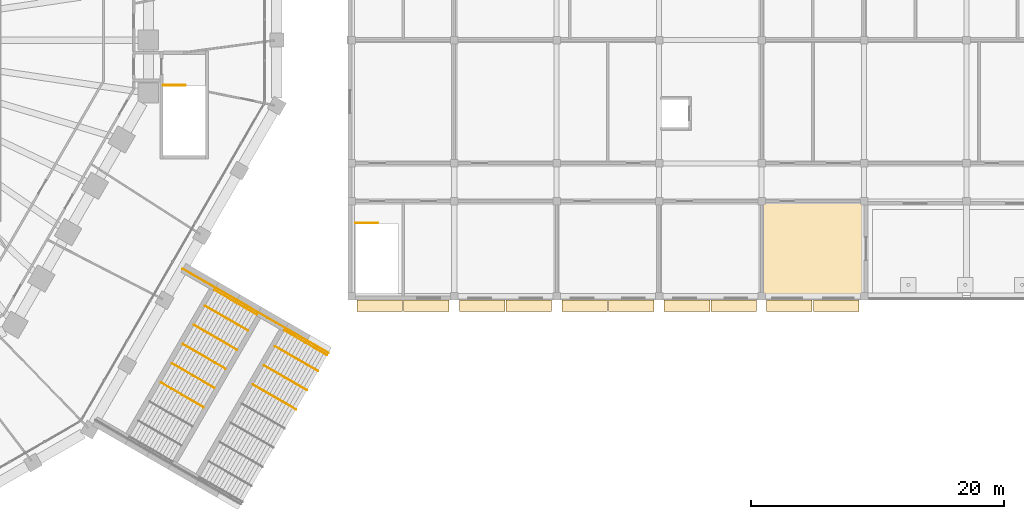
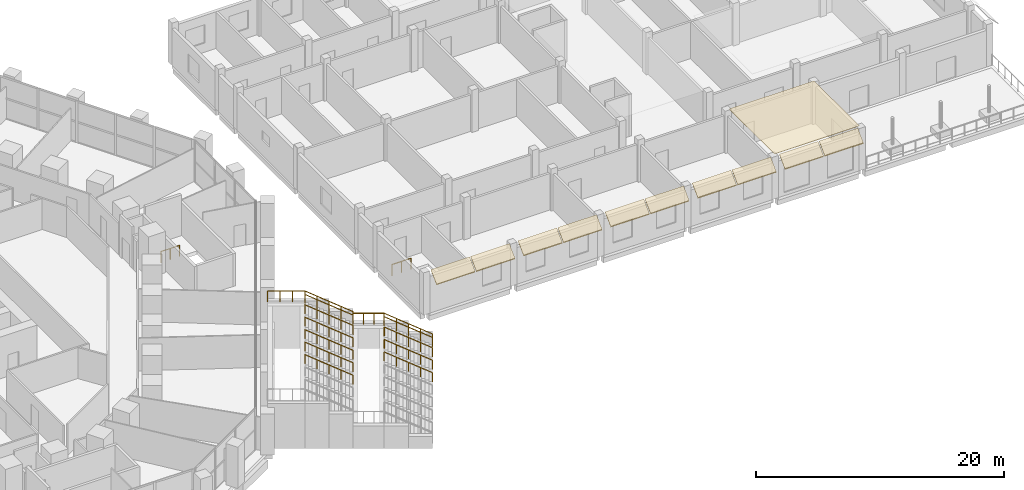
# One storey, part 34 of 38: 16 railings, 11 coverings.
"""IFC4 building model written with IfcOpenShell, lengths in metres."""

from ifc_helpers import new_model, si_unit, direction, frame, origin, origin_2d, place, context, subcontext, project, spatial, polyline, circle, outline, extrude, material, layer, layer_set, type_object, element, save


model = new_model("IFC4")

# Units and contexts
model_context = context("Model", 3, precision=1e-05, world=origin(), true_north=direction((0.0, 1.0)))
body_context = subcontext(model_context, "Body", "Model", "MODEL_VIEW")
ifc_project = project(units=[si_unit("LENGTHUNIT", "METRE"), si_unit("AREAUNIT", "SQUARE_METRE"), si_unit("VOLUMEUNIT", "CUBIC_METRE"), si_unit("PLANEANGLEUNIT", "RADIAN"), si_unit("MASSUNIT", "GRAM", prefix="KILO")], contexts=[model_context])

# Site, building, storey
site_placement = place(None, origin())
site = spatial("IfcSite", under=ifc_project, at=site_placement, CompositionType="ELEMENT")
building_placement = place(site_placement, origin())
building = spatial("IfcBuilding", under=site, at=building_placement, Name="Frailejon Research Tower", CompositionType="ELEMENT")
storey_placement = place(building_placement, frame((0.0, 0.0, 10.199951171875)))
storey = spatial("IfcBuildingStorey", under=building, at=storey_placement, Name="L02", CompositionType="ELEMENT", Elevation=10.199951171875)

# Railings
ifc_material_1 = material(Name="Galvanised steel balustrade", Category="steel")
railing_type_1 = type_object("IfcRailingType", Name="Broad stair guard 1100", PredefinedType="GUARDRAIL", material=ifc_material_1)
railing_1_placement = place(storey_placement, frame((31.126953125, -18.086669921875, 4.400146484375)))
element("IfcRailing", 1, at=railing_1_placement, inside=storey, type_object=railing_type_1, Name="Broad stair E3 landing guard", PredefinedType="GUARDRAIL", context=body_context, shape_type="SweptSolid", body=[
    extrude(circle(Radius=0.02392578125, at=origin_2d()), frame((0.0, 0.0, 1.076171875), z_axis=(0.866031096941, -0.499990139034, 0.0), x_axis=(0.499990139034, 0.866031096941, 0.0)), (0.0, 0.0, 1.0), 3.0),
    extrude(circle(Radius=0.02099609375, at=origin_2d()), origin(), (0.0, 0.0, 1.0), 1.052001953125),
    extrude(circle(Radius=0.02099609375, at=origin_2d()), frame((0.865966796875, -0.5, 0.0)), (0.0, 0.0, 1.0), 1.052001953125),
    extrude(circle(Radius=0.02099609375, at=origin_2d()), frame((1.732177734375, -1.0, 0.0)), (0.0, 0.0, 1.0), 1.052001953125),
    extrude(circle(Radius=0.02099609375, at=origin_2d()), frame((2.59814453125, -1.5, 0.0)), (0.0, 0.0, 1.0), 1.052001953125),
])
railing_2_placement = place(storey_placement, frame((37.1025390625, -21.53662109375, 2.199951171875)))
element("IfcRailing", 2, at=railing_2_placement, inside=storey, type_object=railing_type_1, Name="Broad stair E3 landing guard", PredefinedType="GUARDRAIL", context=body_context, shape_type="SweptSolid", body=[
    extrude(circle(Radius=0.02392578125, at=origin_2d()), frame((0.0, 0.0, 1.076171875), z_axis=(0.866022959057, -0.500004234368, 0.0), x_axis=(0.500004234368, 0.866022959057, 0.0)), (0.0, 0.0, 1.0), 2.5),
    extrude(circle(Radius=0.02099609375, at=origin_2d()), origin(), (0.0, 0.0, 1.0), 1.052001953125),
    extrude(circle(Radius=0.02099609375, at=origin_2d()), frame((0.7216796875, -0.416748046875, 0.0)), (0.0, 0.0, 1.0), 1.052001953125),
    extrude(circle(Radius=0.02099609375, at=origin_2d()), frame((1.443359375, -0.833251953125, 0.0)), (0.0, 0.0, 1.0), 1.052001953125),
    extrude(circle(Radius=0.02099609375, at=origin_2d()), frame((2.1650390625, -1.25, 0.0)), (0.0, 0.0, 1.0), 1.052001953125),
])
railing_3_placement = place(storey_placement, frame((37.1025390625, -21.53662109375, 2.357177734375)))
element("IfcRailing", 3, at=railing_3_placement, inside=storey, type_object=railing_type_1, Name="Broad stair E3 flight guard", PredefinedType="GUARDRAIL", context=body_context, shape_type="SweptSolid", body=[
    extrude(circle(Radius=0.02392578125, at=origin_2d()), frame((0.0, 0.0, 1.076171875), z_axis=(-0.767141967579, 0.442906093325, 0.464033828589), x_axis=(-0.499997012787, -0.866027128446, 0.0)), (0.0, 0.0, 1.0), 4.402587890625),
    extrude(circle(Radius=0.02099609375, at=origin_2d()), origin(), (0.0, 0.0, 1.0), 1.052001953125),
    extrude(circle(Radius=0.02099609375, at=origin_2d()), frame((-0.84423828125, 0.487548828125, 0.5107421875)), (0.0, 0.0, 1.0), 1.052001953125),
    extrude(circle(Radius=0.02099609375, at=origin_2d()), frame((-1.688720703125, 0.97509765625, 1.021484375)), (0.0, 0.0, 1.0), 1.052001953125),
    extrude(circle(Radius=0.02099609375, at=origin_2d()), frame((-2.533203125, 1.46240234375, 1.5322265625)), (0.0, 0.0, 1.0), 1.052001953125),
    extrude(circle(Radius=0.02099609375, at=origin_2d()), frame((-3.37744140625, 1.949951171875, 2.04296875)), (0.0, 0.0, 1.0), 1.052001953125),
])
railing_4_placement = place(storey_placement, frame((42.64501953125, -24.736572265625, 0.1572265625)))
element("IfcRailing", 4, at=railing_4_placement, inside=storey, type_object=railing_type_1, Name="Broad stair E3 flight guard", PredefinedType="GUARDRAIL", context=body_context, shape_type="SweptSolid", body=[
    extrude(circle(Radius=0.02392578125, at=origin_2d()), frame((0.0, 0.0, 1.076171875), z_axis=(-0.767161707443, 0.44291749005, 0.463990314166), x_axis=(-0.499997012787, -0.866027128446, 0.0)), (0.0, 0.0, 1.0), 4.402587890625),
    extrude(circle(Radius=0.02099609375, at=origin_2d()), origin(), (0.0, 0.0, 1.0), 1.052001953125),
    extrude(circle(Radius=0.02099609375, at=origin_2d()), frame((-0.84423828125, 0.487548828125, 0.5107421875)), (0.0, 0.0, 1.0), 1.052001953125),
    extrude(circle(Radius=0.02099609375, at=origin_2d()), frame((-1.688720703125, 0.97509765625, 1.021484375)), (0.0, 0.0, 1.0), 1.052001953125),
    extrude(circle(Radius=0.02099609375, at=origin_2d()), frame((-2.533203125, 1.46240234375, 1.531982421875)), (0.0, 0.0, 1.0), 1.052001953125),
    extrude(circle(Radius=0.02099609375, at=origin_2d()), frame((-3.37744140625, 1.949951171875, 2.042724609375)), (0.0, 0.0, 1.0), 1.052001953125),
])
ifc_material_2 = material(Name="Stainless steel handrail", Category="steel")
railing_type_2 = type_object("IfcRailingType", Name="Broad stair handrail", PredefinedType="HANDRAIL", material=ifc_material_2)
for number, where, name in (
    (5, (32.777587890625, -29.027587890625, 2.357177734375), "Broad stair E3 flight handrail"),
    (6, (33.652587890625, -27.51220703125, 2.357177734375), "Broad stair E3 flight handrail"),
    (7, (34.527587890625, -25.99658203125, 2.357177734375), "Broad stair E3 flight handrail"),
):
    element("IfcRailing", number, at=place(storey_placement, frame(where)), inside=storey, type_object=railing_type_2, Name=name, PredefinedType="HANDRAIL", context=body_context, shape_type="SweptSolid", body=[
        extrude(circle(Radius=0.02392578125, at=origin_2d()), frame((0.0, 0.0, 0.8759765625), z_axis=(-0.767164784809, 0.442887252351, 0.464014088853), x_axis=(-0.499969906938, -0.866042777325, 0.0)), (0.0, 0.0, 1.0), 4.40283203125),
        extrude(circle(Radius=0.02099609375, at=origin_2d()), origin(), (0.0, 0.0, 1.0), 0.851806640625),
        extrude(circle(Radius=0.02099609375, at=origin_2d()), frame((-0.844482421875, 0.487548828125, 0.5107421875)), (0.0, 0.0, 1.0), 0.851806640625),
        extrude(circle(Radius=0.02099609375, at=origin_2d()), frame((-1.68896484375, 0.97509765625, 1.021484375)), (0.0, 0.0, 1.0), 0.851806640625),
        extrude(circle(Radius=0.02099609375, at=origin_2d()), frame((-2.533203125, 1.46240234375, 1.5322265625)), (0.0, 0.0, 1.0), 0.851806640625),
        extrude(circle(Radius=0.02099609375, at=origin_2d()), frame((-3.377685546875, 1.949951171875, 2.04296875)), (0.0, 0.0, 1.0), 0.851806640625),
    ])
railing_5_placement = place(storey_placement, frame((40.070068359375, -29.196533203125, 0.1572265625)))
element("IfcRailing", 8, at=railing_5_placement, inside=storey, type_object=railing_type_2, Name="Broad stair E3 flight handrail", PredefinedType="HANDRAIL", context=body_context, shape_type="SweptSolid", body=[
    extrude(circle(Radius=0.02392578125, at=origin_2d()), frame((0.0, 0.0, 0.8759765625), z_axis=(-0.767161707443, 0.44291749005, 0.463990314166), x_axis=(-0.499997012787, -0.866027128446, 0.0)), (0.0, 0.0, 1.0), 4.402587890625),
    extrude(circle(Radius=0.02099609375, at=origin_2d()), origin(), (0.0, 0.0, 1.0), 0.851806640625),
    extrude(circle(Radius=0.02099609375, at=origin_2d()), frame((-0.84423828125, 0.487548828125, 0.5107421875)), (0.0, 0.0, 1.0), 0.851806640625),
    extrude(circle(Radius=0.02099609375, at=origin_2d()), frame((-1.688720703125, 0.97509765625, 1.021484375)), (0.0, 0.0, 1.0), 0.851806640625),
    extrude(circle(Radius=0.02099609375, at=origin_2d()), frame((-2.533203125, 1.46240234375, 1.531982421875)), (0.0, 0.0, 1.0), 0.851806640625),
    extrude(circle(Radius=0.02099609375, at=origin_2d()), frame((-3.37744140625, 1.949951171875, 2.042724609375)), (0.0, 0.0, 1.0), 0.851806640625),
])
railing_6_placement = place(storey_placement, frame((35.402587890625, -24.481201171875, 2.357177734375)))
element("IfcRailing", 9, at=railing_6_placement, inside=storey, type_object=railing_type_2, Name="Broad stair E3 flight handrail", PredefinedType="HANDRAIL", context=body_context, shape_type="SweptSolid", body=[
    extrude(circle(Radius=0.02392578125, at=origin_2d()), frame((0.0, 0.0, 0.8759765625), z_axis=(-0.767145943871, 0.442931825055, 0.464002693048), x_axis=(-0.500016855088, -0.866015672276, 0.0)), (0.0, 0.0, 1.0), 4.40283203125),
    extrude(circle(Radius=0.02099609375, at=origin_2d()), origin(), (0.0, 0.0, 1.0), 0.851806640625),
    extrude(circle(Radius=0.02099609375, at=origin_2d()), frame((-0.844482421875, 0.487548828125, 0.5107421875)), (0.0, 0.0, 1.0), 0.851806640625),
    extrude(circle(Radius=0.02099609375, at=origin_2d()), frame((-1.68896484375, 0.97509765625, 1.021484375)), (0.0, 0.0, 1.0), 0.851806640625),
    extrude(circle(Radius=0.02099609375, at=origin_2d()), frame((-2.533203125, 1.462646484375, 1.5322265625)), (0.0, 0.0, 1.0), 0.851806640625),
    extrude(circle(Radius=0.02099609375, at=origin_2d()), frame((-3.377685546875, 1.9501953125, 2.04296875)), (0.0, 0.0, 1.0), 0.851806640625),
])
railing_7_placement = place(storey_placement, frame((40.945068359375, -27.68115234375, 0.1572265625)))
element("IfcRailing", 10, at=railing_7_placement, inside=storey, type_object=railing_type_2, Name="Broad stair E3 flight handrail", PredefinedType="HANDRAIL", context=body_context, shape_type="SweptSolid", body=[
    extrude(circle(Radius=0.02392578125, at=origin_2d()), frame((0.0, 0.0, 0.8759765625), z_axis=(-0.767161707443, 0.44291749005, 0.463990314166), x_axis=(-0.499997012787, -0.866027128446, 0.0)), (0.0, 0.0, 1.0), 4.402587890625),
    extrude(circle(Radius=0.02099609375, at=origin_2d()), origin(), (0.0, 0.0, 1.0), 0.851806640625),
    extrude(circle(Radius=0.02099609375, at=origin_2d()), frame((-0.84423828125, 0.487548828125, 0.5107421875)), (0.0, 0.0, 1.0), 0.851806640625),
    extrude(circle(Radius=0.02099609375, at=origin_2d()), frame((-1.688720703125, 0.97509765625, 1.021484375)), (0.0, 0.0, 1.0), 0.851806640625),
    extrude(circle(Radius=0.02099609375, at=origin_2d()), frame((-2.533203125, 1.46240234375, 1.531982421875)), (0.0, 0.0, 1.0), 0.851806640625),
    extrude(circle(Radius=0.02099609375, at=origin_2d()), frame((-3.37744140625, 1.949951171875, 2.042724609375)), (0.0, 0.0, 1.0), 0.851806640625),
])
railing_8_placement = place(storey_placement, frame((36.277587890625, -22.965576171875, 2.357177734375)))
element("IfcRailing", 11, at=railing_8_placement, inside=storey, type_object=railing_type_2, Name="Broad stair E3 flight handrail", PredefinedType="HANDRAIL", context=body_context, shape_type="SweptSolid", body=[
    extrude(circle(Radius=0.02392578125, at=origin_2d()), frame((0.0, 0.0, 0.8759765625), z_axis=(-0.767145943871, 0.442931825055, 0.464002693048), x_axis=(-0.500016855088, -0.866015672276, 0.0)), (0.0, 0.0, 1.0), 4.40283203125),
    extrude(circle(Radius=0.02099609375, at=origin_2d()), origin(), (0.0, 0.0, 1.0), 0.851806640625),
    extrude(circle(Radius=0.02099609375, at=origin_2d()), frame((-0.844482421875, 0.487548828125, 0.5107421875)), (0.0, 0.0, 1.0), 0.851806640625),
    extrude(circle(Radius=0.02099609375, at=origin_2d()), frame((-1.68896484375, 0.97509765625, 1.021484375)), (0.0, 0.0, 1.0), 0.851806640625),
    extrude(circle(Radius=0.02099609375, at=origin_2d()), frame((-2.533203125, 1.462646484375, 1.5322265625)), (0.0, 0.0, 1.0), 0.851806640625),
    extrude(circle(Radius=0.02099609375, at=origin_2d()), frame((-3.377685546875, 1.9501953125, 2.04296875)), (0.0, 0.0, 1.0), 0.851806640625),
])
railing_9_placement = place(storey_placement, frame((41.820068359375, -26.16552734375, 0.1572265625)))
element("IfcRailing", 12, at=railing_9_placement, inside=storey, type_object=railing_type_2, Name="Broad stair E3 flight handrail", PredefinedType="HANDRAIL", context=body_context, shape_type="SweptSolid", body=[
    extrude(circle(Radius=0.02392578125, at=origin_2d()), frame((0.0, 0.0, 0.8759765625), z_axis=(-0.767161707443, 0.44291749005, 0.463990314166), x_axis=(-0.499997012787, -0.866027128446, 0.0)), (0.0, 0.0, 1.0), 4.402587890625),
    extrude(circle(Radius=0.02099609375, at=origin_2d()), origin(), (0.0, 0.0, 1.0), 0.851806640625),
    extrude(circle(Radius=0.02099609375, at=origin_2d()), frame((-0.84423828125, 0.487548828125, 0.5107421875)), (0.0, 0.0, 1.0), 0.851806640625),
    extrude(circle(Radius=0.02099609375, at=origin_2d()), frame((-1.688720703125, 0.97509765625, 1.021484375)), (0.0, 0.0, 1.0), 0.851806640625),
    extrude(circle(Radius=0.02099609375, at=origin_2d()), frame((-2.533203125, 1.46240234375, 1.531982421875)), (0.0, 0.0, 1.0), 0.851806640625),
    extrude(circle(Radius=0.02099609375, at=origin_2d()), frame((-3.37744140625, 1.949951171875, 2.042724609375)), (0.0, 0.0, 1.0), 0.851806640625),
])
railing_10_placement = place(storey_placement, frame((37.00244140625, -21.709716796875, 2.357177734375)))
element("IfcRailing", 13, at=railing_10_placement, inside=storey, type_object=railing_type_2, Name="Broad stair E3 flight handrail", PredefinedType="HANDRAIL", context=body_context, shape_type="SweptSolid", body=[
    extrude(circle(Radius=0.02392578125, at=origin_2d()), frame((0.0, 0.0, 0.8759765625), z_axis=(-0.767141967579, 0.442906093325, 0.464033828589), x_axis=(-0.499997012787, -0.866027128446, 0.0)), (0.0, 0.0, 1.0), 4.402587890625),
    extrude(circle(Radius=0.02099609375, at=origin_2d()), origin(), (0.0, 0.0, 1.0), 0.851806640625),
    extrude(circle(Radius=0.02099609375, at=origin_2d()), frame((-0.84423828125, 0.487548828125, 0.5107421875)), (0.0, 0.0, 1.0), 0.851806640625),
    extrude(circle(Radius=0.02099609375, at=origin_2d()), frame((-1.688720703125, 0.97509765625, 1.021484375)), (0.0, 0.0, 1.0), 0.851806640625),
    extrude(circle(Radius=0.02099609375, at=origin_2d()), frame((-2.533203125, 1.46240234375, 1.5322265625)), (0.0, 0.0, 1.0), 0.851806640625),
    extrude(circle(Radius=0.02099609375, at=origin_2d()), frame((-3.37744140625, 1.949951171875, 2.04296875)), (0.0, 0.0, 1.0), 0.851806640625),
])
railing_11_placement = place(storey_placement, frame((42.545166015625, -24.909912109375, 0.1572265625)))
element("IfcRailing", 14, at=railing_11_placement, inside=storey, type_object=railing_type_2, Name="Broad stair E3 flight handrail", PredefinedType="HANDRAIL", context=body_context, shape_type="SweptSolid", body=[
    extrude(circle(Radius=0.02392578125, at=origin_2d()), frame((0.0, 0.0, 0.8759765625), z_axis=(-0.767165681189, 0.442943220913, 0.463959179943), x_axis=(-0.500016855088, -0.866015672276, 0.0)), (0.0, 0.0, 1.0), 4.40283203125),
    extrude(circle(Radius=0.02099609375, at=origin_2d()), origin(), (0.0, 0.0, 1.0), 0.851806640625),
    extrude(circle(Radius=0.02099609375, at=origin_2d()), frame((-0.844482421875, 0.487548828125, 0.5107421875)), (0.0, 0.0, 1.0), 0.851806640625),
    extrude(circle(Radius=0.02099609375, at=origin_2d()), frame((-1.68896484375, 0.97509765625, 1.021484375)), (0.0, 0.0, 1.0), 0.851806640625),
    extrude(circle(Radius=0.02099609375, at=origin_2d()), frame((-2.533203125, 1.462646484375, 1.531982421875)), (0.0, 0.0, 1.0), 0.851806640625),
    extrude(circle(Radius=0.02099609375, at=origin_2d()), frame((-3.377685546875, 1.9501953125, 2.042724609375)), (0.0, 0.0, 1.0), 0.851806640625),
])
ifc_material_3 = material(Name="Galvanised steel balustrade", Category="steel")
railing_type_3 = type_object("IfcRailingType", Name="HC stair guard 1100", PredefinedType="GUARDRAIL", material=ifc_material_3)
railing_12_placement = place(storey_placement, frame((44.800048828125, -14.449951171875, 0.0)))
element("IfcRailing", 15, at=railing_12_placement, inside=storey, type_object=railing_type_3, Name="L02 HS-A top well guard 1", PredefinedType="GUARDRAIL", context=body_context, shape_type="SweptSolid", body=[
    extrude(circle(Radius=0.02392578125, at=origin_2d()), frame((0.0, 0.0, 1.076171875), z_axis=(1.0, 0.0, 0.0), x_axis=(0.0, 1.0, 0.0)), (0.0, 0.0, 1.0), 1.75),
    extrude(circle(Radius=0.02099609375, at=origin_2d()), origin(), (0.0, 0.0, 1.0), 1.052001953125),
    extrude(circle(Radius=0.02099609375, at=origin_2d()), frame((0.875, 0.0, 0.0)), (0.0, 0.0, 1.0), 1.052001953125),
    extrude(circle(Radius=0.02099609375, at=origin_2d()), frame((1.75, 0.0, 0.0)), (0.0, 0.0, 1.0), 1.052001953125),
])

# Coverings
ifc_material_4 = material(Name="Precast concrete C50/60", Category="concrete")
ifc_layer_1 = layer(ifc_material_4, 0.06005859375)
ifc_layer_set_1 = layer_set([ifc_layer_1], Name="HC visor depth 900")
covering_type_1 = type_object("IfcCoveringType", Name="HC visor depth 900", PredefinedType="CLADDING", material=ifc_layer_set_1)
for number, where, z_axis, x_axis, name in (
    (16, (48.5, -20.550048828125, 4.25), (-1.0, 0.0, 0.0), (0.0, -1.0, 0.0), "HC visor L02"),
    (17, (52.199951171875, -20.550048828125, 4.25), (-1.0, 0.0, 0.0), (0.0, -1.0, 0.0), "HC visor L02"),
    (18, (56.60009765625, -20.550048828125, 4.25), (-1.0, 0.0, 0.0), (0.0, -1.0, 0.0), "HC visor L02"),
    (19, (60.300048828125, -20.550048828125, 4.25), (-1.0, 0.0, 0.0), (0.0, -1.0, 0.0), "HC visor L02"),
    (20, (64.699951171875, -20.550048828125, 4.25), (-1.0, 0.0, 0.0), (0.0, -1.0, 0.0), "HC visor L02"),
    (21, (68.39990234375, -20.550048828125, 4.25), (-1.0, 0.0, 0.0), (0.0, -1.0, 0.0), "HC visor L02"),
    (22, (72.800048828125, -20.550048828125, 4.25), (-1.0, 0.0, 0.0), (0.0, -1.0, 0.0), "HC visor L02"),
    (23, (76.5, -20.550048828125, 4.25), (-1.0, 0.0, 0.0), (0.0, -1.0, 0.0), "HC visor L02"),
    (24, (80.89990234375, -20.550048828125, 4.25), (-1.0, 0.0, 0.0), (0.0, -1.0, 0.0), "HC visor L02"),
    (25, (84.60009765625, -20.550048828125, 4.25), (-1.0, 0.0, 0.0), (0.0, -1.0, 0.0), "HC visor L02"),
):
    element("IfcCovering", number, at=place(storey_placement, frame(where, z_axis=z_axis, x_axis=x_axis)), inside=storey, type_object=covering_type_1, Name=name, PredefinedType="CLADDING", context=body_context, shape_type="SweptSolid", body=[
        extrude(outline(polyline([(0.0, -0.0849609375), (0.89990234375, -0.98486328125), (0.89990234375, -0.89990234375), (0.0, 0.0), (0.0, -0.0849609375)])), origin(), (0.0, 0.0, 1.0), 3.60009765625),
    ])

# Railing
ifc_material_5 = material(Name="Stainless steel", Category="steel")
railing_type_4 = type_object("IfcRailingType", Name="Stair guard 1100", PredefinedType="GUARDRAIL", material=ifc_material_5)
railing_13_placement = place(storey_placement, frame((29.587890625, -3.56884765625, 0.0)))
element("IfcRailing", 26, at=railing_13_placement, inside=storey, type_object=railing_type_4, Name="L02 PS5 top well guard 1", PredefinedType="GUARDRAIL", context=body_context, shape_type="SweptSolid", body=[
    extrude(circle(Radius=0.02392578125, at=origin_2d()), frame((0.0, 0.0, 1.076171875), z_axis=(1.0, 0.0, 0.0), x_axis=(0.0, 1.0, 0.0)), (0.0, 0.0, 1.0), 1.75),
    extrude(circle(Radius=0.02099609375, at=origin_2d()), origin(), (0.0, 0.0, 1.0), 1.052001953125),
    extrude(circle(Radius=0.02099609375, at=origin_2d()), frame((0.875, 0.0, 0.0)), (0.0, 0.0, 1.0), 1.052001953125),
    extrude(circle(Radius=0.02099609375, at=origin_2d()), frame((1.75, 0.0, 0.0)), (0.0, 0.0, 1.0), 1.052001953125),
])

# Covering
ifc_material_6 = material(Name="Mineral fibre ceiling board")
ifc_layer_2 = layer(ifc_material_6, 0.0400390625)
ifc_layer_set_2 = layer_set([ifc_layer_2], Name="Suspended ceiling 40")
covering_type_2 = type_object("IfcCoveringType", Name="Suspended ceiling 40", PredefinedType="CEILING", material=ifc_layer_set_2)
covering_placement = place(storey_placement, frame((0.0, 0.0, 4.110107421875)))
element("IfcCovering", 27, at=covering_placement, inside=storey, type_object=covering_type_2, Name="Ceiling Staff room and garden lounge H205", PredefinedType="CEILING", context=body_context, shape_type="SweptSolid", body=[
    extrude(outline(polyline([(84.949951171875, -12.89990234375), (77.050048828125, -12.89990234375), (77.050048828125, -20.199951171875), (84.949951171875, -20.199951171875), (84.949951171875, -12.89990234375)])), origin(), (0.0, 0.0, 1.0), 0.0400390625),
])

save(model, "model.ifc")
